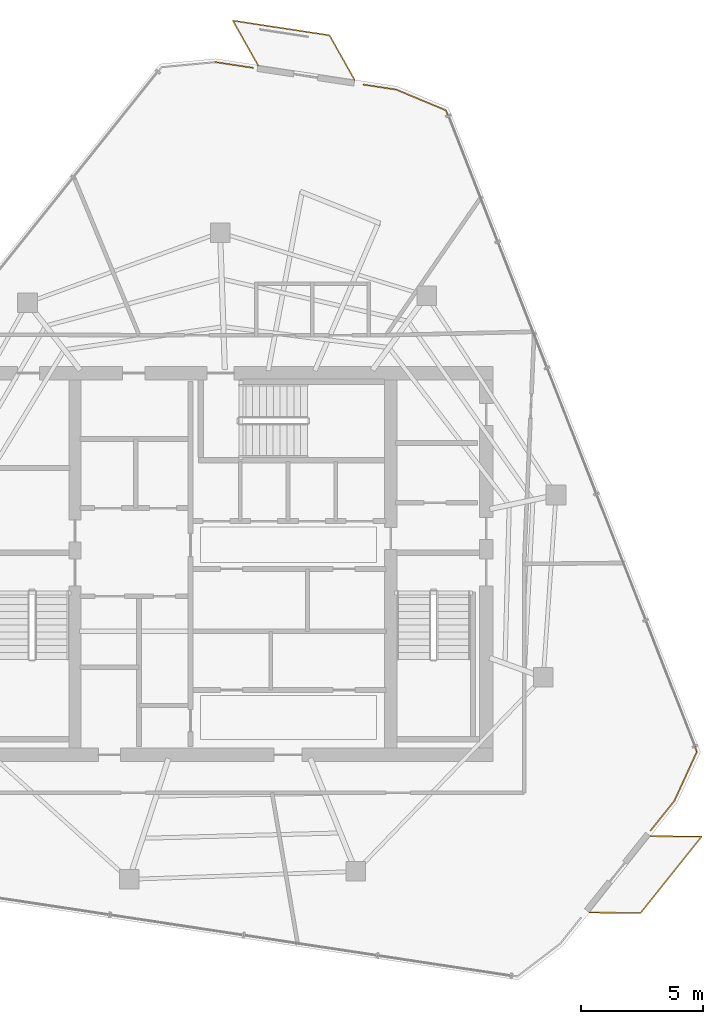
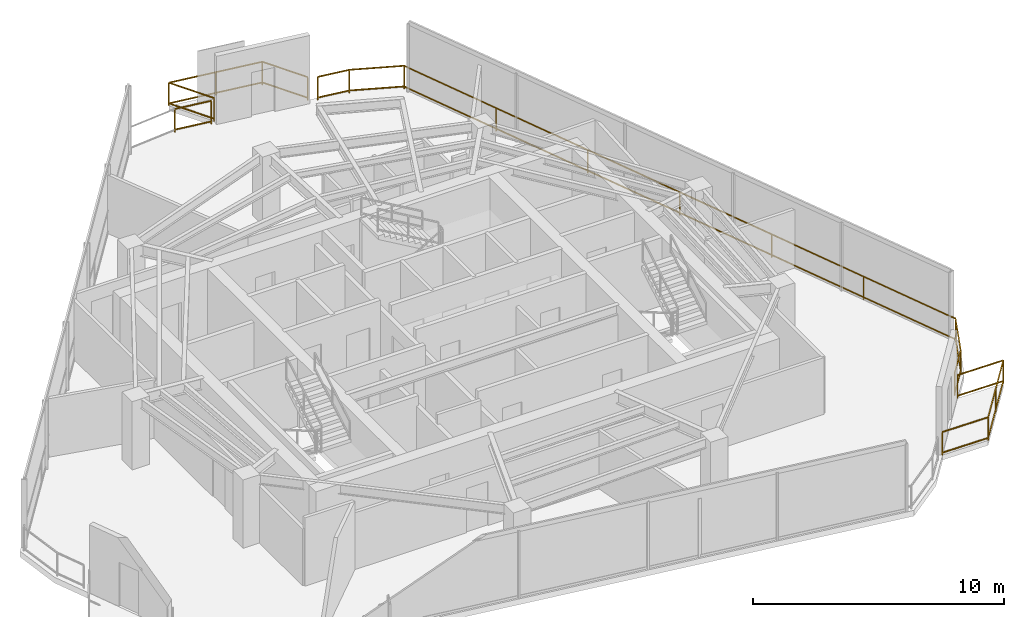
# One storey, part 19 of 19: 4 railings.
"""IFC4 building model written with IfcOpenShell, lengths in metres."""

from ifc_helpers import new_model, si_unit, direction, frame, origin, origin_2d, place, context, subcontext, project, spatial, rectangle, extrude, material, type_object, element, save


model = new_model("IFC4")

# Units and contexts
model_context = context("Model", 3, precision=1e-05, world=origin(), true_north=direction((0.0, 1.0)))
body_context = subcontext(model_context, "Body", "Model", "MODEL_VIEW")
ifc_project = project(units=[si_unit("LENGTHUNIT", "METRE"), si_unit("AREAUNIT", "SQUARE_METRE"), si_unit("VOLUMEUNIT", "CUBIC_METRE"), si_unit("PLANEANGLEUNIT", "RADIAN"), si_unit("MASSUNIT", "GRAM", prefix="KILO")], contexts=[model_context])

# Site, building, storey
site_placement = place(None, origin())
site = spatial("IfcSite", under=ifc_project, at=site_placement, CompositionType="ELEMENT")
building_placement = place(site_placement, origin())
building = spatial("IfcBuilding", under=site, at=building_placement, Name="Qarnah Convention Tower", CompositionType="ELEMENT")
storey_placement = place(building_placement, frame((0.0, 0.0, 260.699951171875)))
storey = spatial("IfcBuildingStorey", under=building, at=storey_placement, Name="L70", CompositionType="ELEMENT", Elevation=260.699951171875)

# Railings
ifc_material = material(Name="Black anodised aluminium", Category="aluminium")
railing_type = type_object("IfcRailingType", Name="RL-EXT-GUARD-1150", PredefinedType="GUARDRAIL", material=ifc_material)
railing_1_placement = place(storey_placement, frame((36.537109375, 46.905029296875, 0.0)))
element("IfcRailing", 1, at=railing_1_placement, inside=storey, type_object=railing_type, Name="L70 slab-edge perimeter safety guard 01", PredefinedType="GUARDRAIL", context=body_context, shape_type="SweptSolid", body=[
    extrude(rectangle(XDim=0.048095703125, YDim=0.048095703125, at=origin_2d()), frame((0.0, 0.0, 1.1259765625), z_axis=(0.988696550221, -0.149930422464, 0.0), x_axis=(0.149930422464, 0.988696550221, 0.0)), (0.0, 0.0, 1.0), 1.5615234375),
    extrude(rectangle(XDim=0.048095703125, YDim=0.048095703125, at=origin_2d()), frame((0.0, 0.0, 0.1201171875), z_axis=(0.988696550221, -0.149930422464, 0.0), x_axis=(0.149930422464, 0.988696550221, 0.0)), (0.0, 0.0, 1.0), 1.5615234375),
    extrude(rectangle(XDim=0.0419921875, YDim=0.0419921875, at=origin_2d()), origin(), (0.0, 0.0, 1.0), 1.101806640625),
    extrude(rectangle(XDim=0.0419921875, YDim=0.0419921875, at=origin_2d()), frame((1.5439453125, -0.234130859375, 0.0)), (0.0, 0.0, 1.0), 1.101806640625),
])
railing_2_placement = place(storey_placement, frame((42.587890625, 45.986083984375, 0.0)))
element("IfcRailing", 2, at=railing_2_placement, inside=storey, type_object=railing_type, Name="L70 slab-edge perimeter safety guard 02", PredefinedType="GUARDRAIL", context=body_context, shape_type="SweptSolid", body=[
    extrude(rectangle(XDim=0.048095703125, YDim=0.048095703125, at=origin_2d()), frame((0.0, 0.0, 1.1259765625), z_axis=(0.988657907679, -0.1501850245, 0.0), x_axis=(0.1501850245, 0.988657907679, 0.0)), (0.0, 0.0, 1.0), 1.3525390625),
    extrude(rectangle(XDim=0.048095703125, YDim=0.048095703125, at=origin_2d()), frame((0.0, 0.0, 0.1201171875), z_axis=(0.988657907679, -0.1501850245, 0.0), x_axis=(0.1501850245, 0.988657907679, 0.0)), (0.0, 0.0, 1.0), 1.3525390625),
    extrude(rectangle(XDim=0.048095703125, YDim=0.048095703125, at=origin_2d()), frame((1.337158203125, -0.203125, 1.1259765625), z_axis=(0.922876684392, -0.385095605538, 0.0), x_axis=(0.385095605538, 0.922876684392, 0.0)), (0.0, 0.0, 1.0), 2.201904296875),
    extrude(rectangle(XDim=0.048095703125, YDim=0.048095703125, at=origin_2d()), frame((1.337158203125, -0.203125, 0.1201171875), z_axis=(0.922876684392, -0.385095605538, 0.0), x_axis=(0.385095605538, 0.922876684392, 0.0)), (0.0, 0.0, 1.0), 2.201904296875),
    extrude(rectangle(XDim=0.048095703125, YDim=0.048095703125, at=origin_2d()), frame((3.369140625, -1.051025390625, 1.1259765625), z_axis=(0.364230571174, -0.931308805403, 0.0), x_axis=(0.931308805403, 0.364230571174, 0.0)), (0.0, 0.0, 1.0), 28.144287109375),
    extrude(rectangle(XDim=0.048095703125, YDim=0.048095703125, at=origin_2d()), frame((3.369140625, -1.051025390625, 0.1201171875), z_axis=(0.364230571174, -0.931308805403, 0.0), x_axis=(0.931308805403, 0.364230571174, 0.0)), (0.0, 0.0, 1.0), 28.144287109375),
    extrude(rectangle(XDim=0.048095703125, YDim=0.048095703125, at=origin_2d()), frame((13.6201171875, -27.261962890625, 1.1259765625), z_axis=(-0.416765390237, -0.909014086525, 0.0), x_axis=(0.909014086525, -0.416765390237, 0.0)), (0.0, 0.0, 1.0), 2.20263671875),
    extrude(rectangle(XDim=0.048095703125, YDim=0.048095703125, at=origin_2d()), frame((13.6201171875, -27.261962890625, 0.1201171875), z_axis=(-0.416765390237, -0.909014086525, 0.0), x_axis=(0.909014086525, -0.416765390237, 0.0)), (0.0, 0.0, 1.0), 2.20263671875),
    extrude(rectangle(XDim=0.048095703125, YDim=0.048095703125, at=origin_2d()), frame((12.7021484375, -29.26416015625, 1.1259765625), z_axis=(-0.624428353504, -0.781082090014, 0.0), x_axis=(0.781082090014, -0.624428353504, 0.0)), (0.0, 0.0, 1.0), 1.563232421875),
    extrude(rectangle(XDim=0.048095703125, YDim=0.048095703125, at=origin_2d()), frame((12.7021484375, -29.26416015625, 0.1201171875), z_axis=(-0.624428353504, -0.781082090014, 0.0), x_axis=(0.781082090014, -0.624428353504, 0.0)), (0.0, 0.0, 1.0), 1.563232421875),
    extrude(rectangle(XDim=0.0419921875, YDim=0.0419921875, at=origin_2d()), origin(), (0.0, 0.0, 1.0), 1.101806640625),
    extrude(rectangle(XDim=0.0419921875, YDim=0.0419921875, at=origin_2d()), frame((1.337158203125, -0.203125, 0.0)), (0.0, 0.0, 1.0), 1.101806640625),
    extrude(rectangle(XDim=0.0419921875, YDim=0.0419921875, at=origin_2d()), frame((3.369140625, -1.051025390625, 0.0)), (0.0, 0.0, 1.0), 1.101806640625),
    extrude(rectangle(XDim=0.0419921875, YDim=0.0419921875, at=origin_2d()), frame((5.07763671875, -5.41943359375, 0.0)), (0.0, 0.0, 1.0), 1.101806640625),
    extrude(rectangle(XDim=0.0419921875, YDim=0.0419921875, at=origin_2d()), frame((6.7861328125, -9.7880859375, 0.0)), (0.0, 0.0, 1.0), 1.101806640625),
    extrude(rectangle(XDim=0.0419921875, YDim=0.0419921875, at=origin_2d()), frame((8.49462890625, -14.156494140625, 0.0)), (0.0, 0.0, 1.0), 1.101806640625),
    extrude(rectangle(XDim=0.0419921875, YDim=0.0419921875, at=origin_2d()), frame((10.203125, -18.52490234375, 0.0)), (0.0, 0.0, 1.0), 1.101806640625),
    extrude(rectangle(XDim=0.0419921875, YDim=0.0419921875, at=origin_2d()), frame((11.91162109375, -22.8935546875, 0.0)), (0.0, 0.0, 1.0), 1.101806640625),
    extrude(rectangle(XDim=0.0419921875, YDim=0.0419921875, at=origin_2d()), frame((13.6201171875, -27.261962890625, 0.0)), (0.0, 0.0, 1.0), 1.101806640625),
    extrude(rectangle(XDim=0.0419921875, YDim=0.0419921875, at=origin_2d()), frame((12.7021484375, -29.26416015625, 0.0)), (0.0, 0.0, 1.0), 1.101806640625),
    extrude(rectangle(XDim=0.0419921875, YDim=0.0419921875, at=origin_2d()), frame((11.72607421875, -30.485107421875, 0.0)), (0.0, 0.0, 1.0), 1.101806640625),
])
railing_3_placement = place(storey_placement, frame((38.27294921875, 46.778076171875, 0.0)))
element("IfcRailing", 3, at=railing_3_placement, inside=storey, type_object=railing_type, Name="L70 balcony safety guard BAL-L70-C1", PredefinedType="GUARDRAIL", context=body_context, shape_type="SweptSolid", body=[
    extrude(rectangle(XDim=0.048095703125, YDim=0.048095703125, at=origin_2d()), frame((0.0, 0.0, 1.1259765625), z_axis=(-0.490023143443, 0.871709423426, 0.0), x_axis=(-0.871709423426, -0.490023143443, 0.0)), (0.0, 0.0, 1.0), 2.093505859375),
    extrude(rectangle(XDim=0.048095703125, YDim=0.048095703125, at=origin_2d()), frame((0.0, 0.0, 0.1201171875), z_axis=(-0.490023143443, 0.871709423426, 0.0), x_axis=(-0.871709423426, -0.490023143443, 0.0)), (0.0, 0.0, 1.0), 2.093505859375),
    extrude(rectangle(XDim=0.048095703125, YDim=0.048095703125, at=origin_2d()), frame((-1.02587890625, 1.824951171875, 1.1259765625), z_axis=(0.988641130144, -0.150295428368, 0.0), x_axis=(0.150295428368, 0.988641130144, 0.0)), (0.0, 0.0, 1.0), 3.999267578125),
    extrude(rectangle(XDim=0.048095703125, YDim=0.048095703125, at=origin_2d()), frame((-1.02587890625, 1.824951171875, 0.1201171875), z_axis=(0.988641130144, -0.150295428368, 0.0), x_axis=(0.150295428368, 0.988641130144, 0.0)), (0.0, 0.0, 1.0), 3.999267578125),
    extrude(rectangle(XDim=0.048095703125, YDim=0.048095703125, at=origin_2d()), frame((2.927978515625, 1.223876953125, 1.1259765625), z_axis=(0.490466025282, -0.871460313522, 0.0), x_axis=(0.871460313522, 0.490466025282, 0.0)), (0.0, 0.0, 1.0), 2.09423828125),
    extrude(rectangle(XDim=0.048095703125, YDim=0.048095703125, at=origin_2d()), frame((2.927978515625, 1.223876953125, 0.1201171875), z_axis=(0.490466025282, -0.871460313522, 0.0), x_axis=(0.871460313522, 0.490466025282, 0.0)), (0.0, 0.0, 1.0), 2.09423828125),
    extrude(rectangle(XDim=0.0419921875, YDim=0.0419921875, at=origin_2d()), origin(), (0.0, 0.0, 1.0), 1.101806640625),
    extrude(rectangle(XDim=0.0419921875, YDim=0.0419921875, at=origin_2d()), frame((-1.02587890625, 1.824951171875, 0.0)), (0.0, 0.0, 1.0), 1.101806640625),
    extrude(rectangle(XDim=0.0419921875, YDim=0.0419921875, at=origin_2d()), frame((0.951171875, 1.5244140625, 0.0)), (0.0, 0.0, 1.0), 1.101806640625),
    extrude(rectangle(XDim=0.0419921875, YDim=0.0419921875, at=origin_2d()), frame((2.927978515625, 1.223876953125, 0.0)), (0.0, 0.0, 1.0), 1.101806640625),
    extrude(rectangle(XDim=0.0419921875, YDim=0.0419921875, at=origin_2d()), frame((3.955078125, -0.60107421875, 0.0)), (0.0, 0.0, 1.0), 1.101806640625),
])
railing_4_placement = place(storey_placement, frame((54.31103515625, 15.281005859375, 0.0)))
element("IfcRailing", 4, at=railing_4_placement, inside=storey, type_object=railing_type, Name="L70 balcony safety guard BAL-L70-C3", PredefinedType="GUARDRAIL", context=body_context, shape_type="SweptSolid", body=[
    extrude(rectangle(XDim=0.048095703125, YDim=0.048095703125, at=origin_2d()), frame((0.0, 0.0, 1.1259765625), z_axis=(0.999939949619, -0.010958884839, 0.0), x_axis=(0.010958884839, 0.999939949619, 0.0)), (0.0, 0.0, 1.0), 2.09423828125),
    extrude(rectangle(XDim=0.048095703125, YDim=0.048095703125, at=origin_2d()), frame((0.0, 0.0, 0.1201171875), z_axis=(0.999939949619, -0.010958884839, 0.0), x_axis=(0.010958884839, 0.999939949619, 0.0)), (0.0, 0.0, 1.0), 2.09423828125),
    extrude(rectangle(XDim=0.048095703125, YDim=0.048095703125, at=origin_2d()), frame((2.093994140625, -0.02294921875, 1.1259765625), z_axis=(-0.624516390389, -0.781011701663, 0.0), x_axis=(0.781011701663, -0.624516390389, 0.0)), (0.0, 0.0, 1.0), 4.0),
    extrude(rectangle(XDim=0.048095703125, YDim=0.048095703125, at=origin_2d()), frame((2.093994140625, -0.02294921875, 0.1201171875), z_axis=(-0.624516390389, -0.781011701663, 0.0), x_axis=(0.781011701663, -0.624516390389, 0.0)), (0.0, 0.0, 1.0), 4.0),
    extrude(rectangle(XDim=0.048095703125, YDim=0.048095703125, at=origin_2d()), frame((-0.404052734375, -3.14697265625, 1.1259765625), z_axis=(-0.999939949619, 0.010958884839, 0.0), x_axis=(-0.010958884839, -0.999939949619, 0.0)), (0.0, 0.0, 1.0), 2.09423828125),
    extrude(rectangle(XDim=0.048095703125, YDim=0.048095703125, at=origin_2d()), frame((-0.404052734375, -3.14697265625, 0.1201171875), z_axis=(-0.999939949619, 0.010958884839, 0.0), x_axis=(-0.010958884839, -0.999939949619, 0.0)), (0.0, 0.0, 1.0), 2.09423828125),
    extrude(rectangle(XDim=0.0419921875, YDim=0.0419921875, at=origin_2d()), origin(), (0.0, 0.0, 1.0), 1.101806640625),
    extrude(rectangle(XDim=0.0419921875, YDim=0.0419921875, at=origin_2d()), frame((2.093994140625, -0.02294921875, 0.0)), (0.0, 0.0, 1.0), 1.101806640625),
    extrude(rectangle(XDim=0.0419921875, YDim=0.0419921875, at=origin_2d()), frame((0.844970703125, -1.5849609375, 0.0)), (0.0, 0.0, 1.0), 1.101806640625),
    extrude(rectangle(XDim=0.0419921875, YDim=0.0419921875, at=origin_2d()), frame((-0.404052734375, -3.14697265625, 0.0)), (0.0, 0.0, 1.0), 1.101806640625),
    extrude(rectangle(XDim=0.0419921875, YDim=0.0419921875, at=origin_2d()), frame((-2.498046875, -3.1240234375, 0.0)), (0.0, 0.0, 1.0), 1.101806640625),
])

save(model, "model.ifc")
